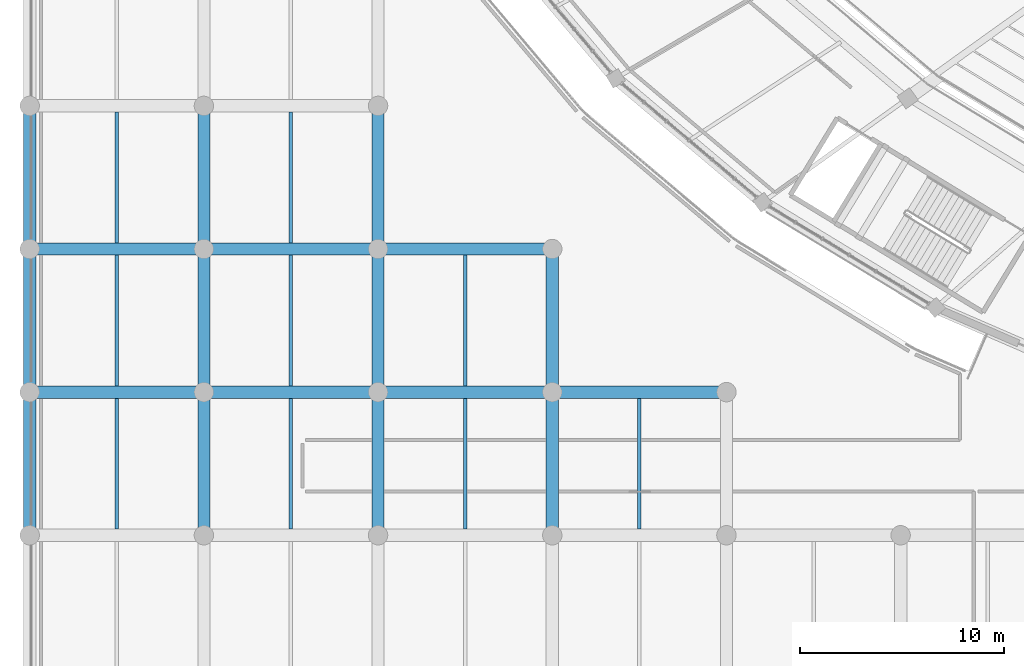
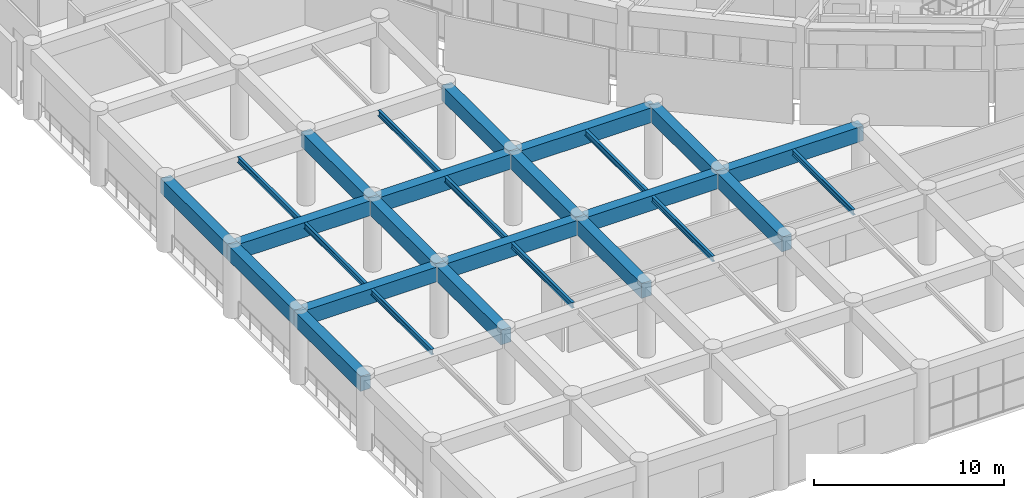
# One storey, part 12 of 137: 27 beams.
"""IFC4 building model written with IfcOpenShell, lengths in metres."""

from ifc_helpers import new_model, si_unit, direction, frame, origin, origin_2d, place, context, subcontext, project, spatial, rectangle, i_section, extrude, material, material_profile, profile_set, type_object, element, save


model = new_model("IFC4")

# Units and contexts
model_context = context("Model", 3, precision=1e-05, world=origin(), true_north=direction((0.0, 1.0)))
body_context = subcontext(model_context, "Body", "Model", "MODEL_VIEW")
ifc_project = project(units=[si_unit("LENGTHUNIT", "METRE"), si_unit("AREAUNIT", "SQUARE_METRE"), si_unit("VOLUMEUNIT", "CUBIC_METRE"), si_unit("PLANEANGLEUNIT", "RADIAN"), si_unit("MASSUNIT", "GRAM", prefix="KILO")], contexts=[model_context])

# Site, building, storey
site_placement = place(None, origin())
site = spatial("IfcSite", under=ifc_project, at=site_placement, CompositionType="ELEMENT")
building_placement = place(site_placement, origin())
building = spatial("IfcBuilding", under=site, at=building_placement, Name="Mphavela Belvedere Stadium", CompositionType="ELEMENT")
storey_placement = place(building_placement, frame((0.0, 0.0, 19.199951171875)))
storey = spatial("IfcBuildingStorey", under=building, at=storey_placement, Name="L04", CompositionType="ELEMENT", Elevation=19.199951171875)

# Beams
ifc_material_1 = material(Name="Concrete C40/50", Category="concrete")
ifc_material_profile_1 = material_profile(ifc_material_1, rectangle(XDim=0.60009765625, YDim=0.949951171875, at=origin_2d()), Name="RC 600x950")
ifc_profile_set_1 = profile_set([ifc_material_profile_1], Name="Concrete C40/50")
beam_type_1 = type_object("IfcBeamType", Name="BM-ENTABLATURE-950", PredefinedType="SPANDREL", material=ifc_profile_set_1)
beam_1_placement = place(storey_placement, frame((0.0, 14.0, 4.06494140625), z_axis=(0.0, 1.0, 0.0), x_axis=(-1.0, 0.0, 0.0)))
element("IfcBeam", 1, at=beam_1_placement, inside=storey, type_object=beam_type_1, Name="South Axial Triumphal Peristyle Portico entablature beam Y L04 1-3", PredefinedType="SPANDREL", context=body_context, shape_type="SweptSolid", body=[
    extrude(rectangle(XDim=0.60009765625, YDim=0.949951171875, at=origin_2d()), origin(), (0.0, 0.0, 1.0), 7.0),
])
beam_2_placement = place(storey_placement, frame((0.0, 21.0, 4.06494140625), z_axis=(1.0, 0.0, 0.0), x_axis=(0.0, 1.0, 0.0)))
element("IfcBeam", 2, at=beam_2_placement, inside=storey, type_object=beam_type_1, Name="South Axial Triumphal Peristyle Portico entablature beam X L04 1-4", PredefinedType="SPANDREL", context=body_context, shape_type="SweptSolid", body=[
    extrude(rectangle(XDim=0.60009765625, YDim=0.949951171875, at=origin_2d()), origin(), (0.0, 0.0, 1.0), 8.51904296875),
])
beam_3_placement = place(storey_placement, frame((0.0, 21.0, 4.06494140625), z_axis=(0.0, 1.0, 0.0), x_axis=(-1.0, 0.0, 0.0)))
element("IfcBeam", 3, at=beam_3_placement, inside=storey, type_object=beam_type_1, Name="South Axial Triumphal Peristyle Portico entablature beam Y L04 1-4", PredefinedType="SPANDREL", context=body_context, shape_type="SweptSolid", body=[
    extrude(rectangle(XDim=0.60009765625, YDim=0.949951171875, at=origin_2d()), origin(), (0.0, 0.0, 1.0), 7.0),
])
beam_4_placement = place(storey_placement, frame((0.0, 28.0, 4.06494140625), z_axis=(1.0, 0.0, 0.0), x_axis=(0.0, 1.0, 0.0)))
element("IfcBeam", 4, at=beam_4_placement, inside=storey, type_object=beam_type_1, Name="South Axial Triumphal Peristyle Portico entablature beam X L04 1-5", PredefinedType="SPANDREL", context=body_context, shape_type="SweptSolid", body=[
    extrude(rectangle(XDim=0.60009765625, YDim=0.949951171875, at=origin_2d()), origin(), (0.0, 0.0, 1.0), 8.51904296875),
])
for number, where, z_axis, x_axis, name in (
    (5, (0.0, 28.0, 4.06494140625), (0.0, 1.0, 0.0), (-1.0, 0.0, 0.0), "South Axial Triumphal Peristyle Portico entablature beam Y L04 1-5"),
    (6, (8.51904296875, 14.0, 4.06494140625), (0.0, 1.0, 0.0), (-1.0, 0.0, 0.0), "South Axial Triumphal Peristyle Portico entablature beam Y L04 2-3"),
):
    element("IfcBeam", number, at=place(storey_placement, frame(where, z_axis=z_axis, x_axis=x_axis)), inside=storey, type_object=beam_type_1, Name=name, PredefinedType="SPANDREL", context=body_context, shape_type="SweptSolid", body=[
        extrude(rectangle(XDim=0.60009765625, YDim=0.949951171875, at=origin_2d()), origin(), (0.0, 0.0, 1.0), 7.0),
    ])
beam_5_placement = place(storey_placement, frame((8.51904296875, 21.0, 4.06494140625), z_axis=(1.0, 0.0, 0.0), x_axis=(0.0, 1.0, 0.0)))
element("IfcBeam", 7, at=beam_5_placement, inside=storey, type_object=beam_type_1, Name="South Axial Triumphal Peristyle Portico entablature beam X L04 2-4", PredefinedType="SPANDREL", context=body_context, shape_type="SweptSolid", body=[
    extrude(rectangle(XDim=0.60009765625, YDim=0.949951171875, at=origin_2d()), origin(), (0.0, 0.0, 1.0), 8.51806640625),
])
beam_6_placement = place(storey_placement, frame((8.51904296875, 21.0, 4.06494140625), z_axis=(0.0, 1.0, 0.0), x_axis=(-1.0, 0.0, 0.0)))
element("IfcBeam", 8, at=beam_6_placement, inside=storey, type_object=beam_type_1, Name="South Axial Triumphal Peristyle Portico entablature beam Y L04 2-4", PredefinedType="SPANDREL", context=body_context, shape_type="SweptSolid", body=[
    extrude(rectangle(XDim=0.60009765625, YDim=0.949951171875, at=origin_2d()), origin(), (0.0, 0.0, 1.0), 7.0),
])
beam_7_placement = place(storey_placement, frame((8.51904296875, 28.0, 4.06494140625), z_axis=(1.0, 0.0, 0.0), x_axis=(0.0, 1.0, 0.0)))
element("IfcBeam", 9, at=beam_7_placement, inside=storey, type_object=beam_type_1, Name="South Axial Triumphal Peristyle Portico entablature beam X L04 2-5", PredefinedType="SPANDREL", context=body_context, shape_type="SweptSolid", body=[
    extrude(rectangle(XDim=0.60009765625, YDim=0.949951171875, at=origin_2d()), origin(), (0.0, 0.0, 1.0), 8.51806640625),
])
for number, where, z_axis, x_axis, name in (
    (10, (8.51904296875, 28.0, 4.06494140625), (0.0, 1.0, 0.0), (-1.0, 0.0, 0.0), "South Axial Triumphal Peristyle Portico entablature beam Y L04 2-5"),
    (11, (17.037109375, 14.0, 4.06494140625), (0.0, 1.0, 0.0), (-1.0, 0.0, 0.0), "South Axial Triumphal Peristyle Portico entablature beam Y L04 3-3"),
):
    element("IfcBeam", number, at=place(storey_placement, frame(where, z_axis=z_axis, x_axis=x_axis)), inside=storey, type_object=beam_type_1, Name=name, PredefinedType="SPANDREL", context=body_context, shape_type="SweptSolid", body=[
        extrude(rectangle(XDim=0.60009765625, YDim=0.949951171875, at=origin_2d()), origin(), (0.0, 0.0, 1.0), 7.0),
    ])
beam_8_placement = place(storey_placement, frame((17.037109375, 21.0, 4.06494140625), z_axis=(1.0, 0.0, 0.0), x_axis=(0.0, 1.0, 0.0)))
element("IfcBeam", 12, at=beam_8_placement, inside=storey, type_object=beam_type_1, Name="South Axial Triumphal Peristyle Portico entablature beam X L04 3-4", PredefinedType="SPANDREL", context=body_context, shape_type="SweptSolid", body=[
    extrude(rectangle(XDim=0.60009765625, YDim=0.949951171875, at=origin_2d()), origin(), (0.0, 0.0, 1.0), 8.518798828125),
])
beam_9_placement = place(storey_placement, frame((17.037109375, 21.0, 4.06494140625), z_axis=(0.0, 1.0, 0.0), x_axis=(-1.0, 0.0, 0.0)))
element("IfcBeam", 13, at=beam_9_placement, inside=storey, type_object=beam_type_1, Name="South Axial Triumphal Peristyle Portico entablature beam Y L04 3-4", PredefinedType="SPANDREL", context=body_context, shape_type="SweptSolid", body=[
    extrude(rectangle(XDim=0.60009765625, YDim=0.949951171875, at=origin_2d()), origin(), (0.0, 0.0, 1.0), 7.0),
])
beam_10_placement = place(storey_placement, frame((17.037109375, 28.0, 4.06494140625), z_axis=(1.0, 0.0, 0.0), x_axis=(0.0, 1.0, 0.0)))
element("IfcBeam", 14, at=beam_10_placement, inside=storey, type_object=beam_type_1, Name="South Axial Triumphal Peristyle Portico entablature beam X L04 3-5", PredefinedType="SPANDREL", context=body_context, shape_type="SweptSolid", body=[
    extrude(rectangle(XDim=0.60009765625, YDim=0.949951171875, at=origin_2d()), origin(), (0.0, 0.0, 1.0), 8.518798828125),
])
for number, where, z_axis, x_axis, name in (
    (15, (17.037109375, 28.0, 4.06494140625), (0.0, 1.0, 0.0), (-1.0, 0.0, 0.0), "South Axial Triumphal Peristyle Portico entablature beam Y L04 3-5"),
    (16, (25.555908203125, 14.0, 4.06494140625), (0.0, 1.0, 0.0), (-1.0, 0.0, 0.0), "South Axial Triumphal Peristyle Portico entablature beam Y L04 4-3"),
):
    element("IfcBeam", number, at=place(storey_placement, frame(where, z_axis=z_axis, x_axis=x_axis)), inside=storey, type_object=beam_type_1, Name=name, PredefinedType="SPANDREL", context=body_context, shape_type="SweptSolid", body=[
        extrude(rectangle(XDim=0.60009765625, YDim=0.949951171875, at=origin_2d()), origin(), (0.0, 0.0, 1.0), 7.0),
    ])
beam_11_placement = place(storey_placement, frame((25.555908203125, 21.0, 4.06494140625), z_axis=(1.0, 0.0, 0.0), x_axis=(0.0, 1.0, 0.0)))
element("IfcBeam", 17, at=beam_11_placement, inside=storey, type_object=beam_type_1, Name="South Axial Triumphal Peristyle Portico entablature beam X L04 4-4", PredefinedType="SPANDREL", context=body_context, shape_type="SweptSolid", body=[
    extrude(rectangle(XDim=0.60009765625, YDim=0.949951171875, at=origin_2d()), origin(), (0.0, 0.0, 1.0), 8.51806640625),
])
beam_12_placement = place(storey_placement, frame((25.555908203125, 21.0, 4.06494140625), z_axis=(0.0, 1.0, 0.0), x_axis=(-1.0, 0.0, 0.0)))
element("IfcBeam", 18, at=beam_12_placement, inside=storey, type_object=beam_type_1, Name="South Axial Triumphal Peristyle Portico entablature beam Y L04 4-4", PredefinedType="SPANDREL", context=body_context, shape_type="SweptSolid", body=[
    extrude(rectangle(XDim=0.60009765625, YDim=0.949951171875, at=origin_2d()), origin(), (0.0, 0.0, 1.0), 7.0),
])
ifc_material_2 = material(Name="Steel S355", Category="steel")
ifc_material_profile_2 = material_profile(ifc_material_2, i_section(OverallWidth=0.169921875, OverallDepth=0.360107421875, WebThickness=0.008056640625, FlangeThickness=0.0126953125, at=origin_2d()), Name="IPE 360")
ifc_profile_set_2 = profile_set([ifc_material_profile_2], Name="Steel S355")
beam_type_2 = type_object("IfcBeamType", Name="BM-JOIST-IPE360", PredefinedType="JOIST", material=ifc_profile_set_2)
for number, where, z_axis, x_axis, name in (
    (19, (4.259521484375, 14.300048828125, 4.360107421875), (0.0, 1.0, 0.0), (-1.0, 0.0, 0.0), "South Axial Triumphal Peristyle Portico secondary joist L04 1-3"),
    (20, (4.259521484375, 21.300048828125, 4.360107421875), (0.0, 1.0, 0.0), (-1.0, 0.0, 0.0), "South Axial Triumphal Peristyle Portico secondary joist L04 1-4"),
    (21, (4.259521484375, 28.300048828125, 4.360107421875), (0.0, 1.0, 0.0), (-1.0, 0.0, 0.0), "South Axial Triumphal Peristyle Portico secondary joist L04 1-5"),
    (22, (12.778076171875, 14.300048828125, 4.360107421875), (0.0, 1.0, 0.0), (-1.0, 0.0, 0.0), "South Axial Triumphal Peristyle Portico secondary joist L04 2-3"),
    (23, (12.778076171875, 21.300048828125, 4.360107421875), (0.0, 1.0, 0.0), (-1.0, 0.0, 0.0), "South Axial Triumphal Peristyle Portico secondary joist L04 2-4"),
    (24, (12.778076171875, 28.300048828125, 4.360107421875), (0.0, 1.0, 0.0), (-1.0, 0.0, 0.0), "South Axial Triumphal Peristyle Portico secondary joist L04 2-5"),
    (25, (21.29638671875, 14.300048828125, 4.360107421875), (0.0, 1.0, 0.0), (-1.0, 0.0, 0.0), "South Axial Triumphal Peristyle Portico secondary joist L04 3-3"),
    (26, (21.29638671875, 21.300048828125, 4.360107421875), (0.0, 1.0, 0.0), (-1.0, 0.0, 0.0), "South Axial Triumphal Peristyle Portico secondary joist L04 3-4"),
    (27, (29.81494140625, 14.300048828125, 4.360107421875), (0.0, 1.0, 0.0), (-1.0, 0.0, 0.0), "South Axial Triumphal Peristyle Portico secondary joist L04 4-3"),
):
    element("IfcBeam", number, at=place(storey_placement, frame(where, z_axis=z_axis, x_axis=x_axis)), inside=storey, type_object=beam_type_2, Name=name, PredefinedType="JOIST", context=body_context, shape_type="SweptSolid", body=[
        extrude(i_section(OverallWidth=0.169921875, OverallDepth=0.360107421875, WebThickness=0.008056640625, FlangeThickness=0.0126953125, at=origin_2d()), origin(), (0.0, 0.0, 1.0), 6.39990234375),
    ])

save(model, "model.ifc")
